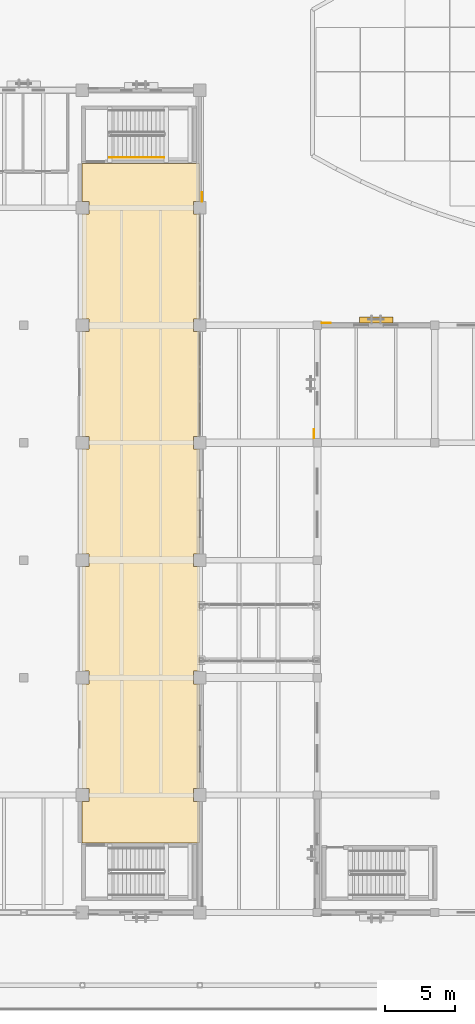
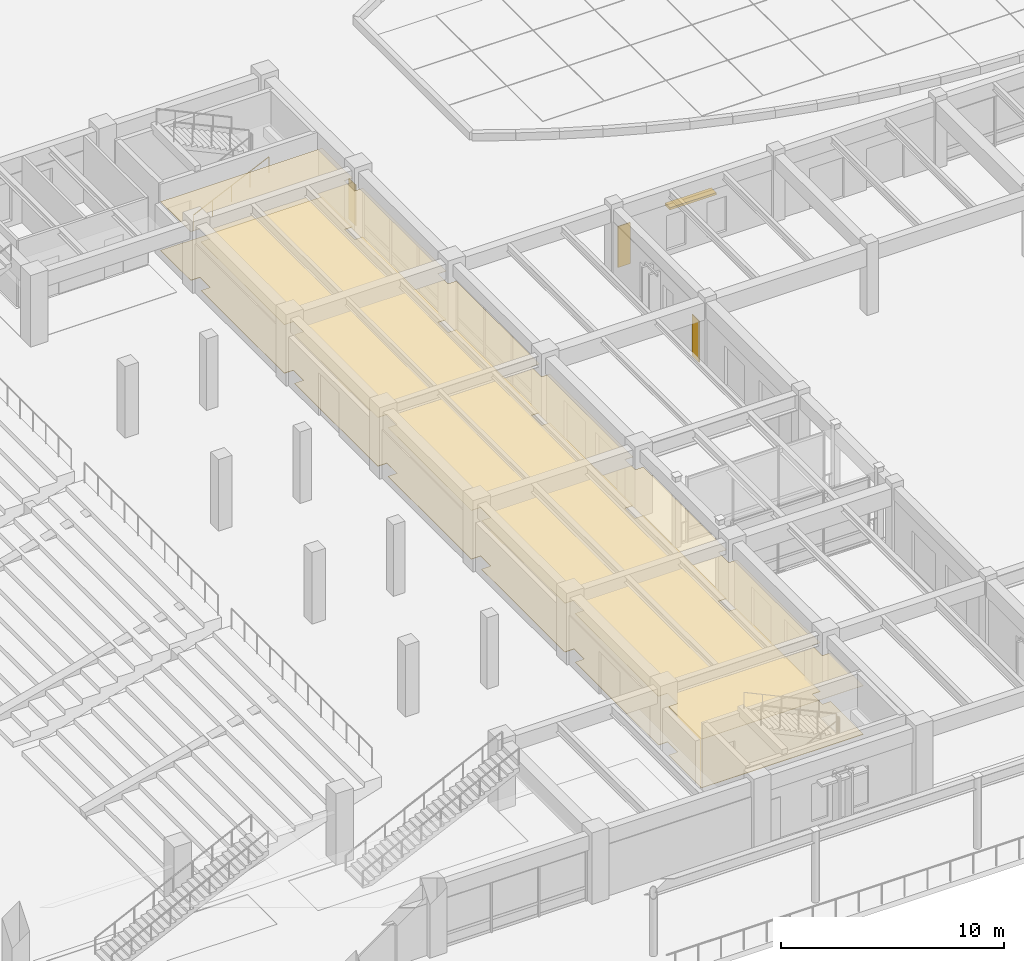
# One storey, part 111 of 135: 5 coverings, 1 railing, 1 shading device.
"""IFC4 building model written with IfcOpenShell, lengths in metres."""

from ifc_helpers import new_model, si_unit, direction, frame, origin, origin_2d, place, context, subcontext, project, spatial, polyline, rectangle, circle, outline, extrude, material, layer, layer_set, type_object, element, save


model = new_model("IFC4")

# Units and contexts
model_context = context("Model", 3, precision=1e-05, world=origin(), true_north=direction((0.0, 1.0)))
body_context = subcontext(model_context, "Body", "Model", "MODEL_VIEW")
ifc_project = project(units=[si_unit("LENGTHUNIT", "METRE"), si_unit("AREAUNIT", "SQUARE_METRE"), si_unit("VOLUMEUNIT", "CUBIC_METRE"), si_unit("PLANEANGLEUNIT", "RADIAN"), si_unit("MASSUNIT", "GRAM", prefix="KILO")], contexts=[model_context])

# Site, building, storey
site_placement = place(None, origin())
site = spatial("IfcSite", under=ifc_project, at=site_placement, CompositionType="ELEMENT")
building_placement = place(site_placement, origin())
building = spatial("IfcBuilding", under=site, at=building_placement, Name="Cumbredor Promenade Congress Hotel", CompositionType="ELEMENT")
storey_placement = place(building_placement, origin())
storey = spatial("IfcBuildingStorey", under=building, at=storey_placement, Name="L00", CompositionType="ELEMENT", Elevation=0.0)

# Coverings
ifc_material_1 = material(Name="Acoustic mineral-fiber and gypsum ceiling")
ifc_layer_1 = layer(ifc_material_1, 0.01806640625, Name="Acoustic mineral-fiber and gypsum ceiling")
ifc_layer_set_1 = layer_set([ifc_layer_1], Name="Acoustic mineral-fiber and gypsum ceiling")
covering_type_1 = type_object("IfcCoveringType", Name="Acoustic Perforated Gypsum Ceiling CLG-01 18mm", PredefinedType="CEILING", material=ifc_layer_set_1)
covering_1_placement = place(storey_placement, frame((0.0, 0.0, 2.673095703125)))
element("IfcCovering", 1, at=covering_1_placement, inside=storey, type_object=covering_type_1, Name="East Diplomatic Delegation Arrival Lounge Acoustic Ceiling", PredefinedType="CEILING", context=body_context, shape_type="SweptSolid", body=[
    extrude(outline(polyline([(58.780029296875, 34.054931640625), (58.780029296875, 41.544921875), (59.2548828125, 41.544921875), (59.2548828125, 42.455078125), (58.780029296875, 42.455078125), (58.780029296875, 49.945068359375), (59.2548828125, 49.945068359375), (59.2548828125, 50.85498046875), (58.780029296875, 50.85498046875), (58.780029296875, 58.344970703125), (59.2548828125, 58.344970703125), (59.2548828125, 59.2548828125), (58.780029296875, 59.2548828125), (58.780029296875, 61.969970703125), (67.169921875, 61.969970703125), (67.169921875, 59.2548828125), (66.7451171875, 59.2548828125), (66.7451171875, 58.344970703125), (67.169921875, 58.344970703125), (67.169921875, 50.85498046875), (66.7451171875, 50.85498046875), (66.7451171875, 49.945068359375), (67.169921875, 49.945068359375), (67.169921875, 42.455078125), (66.7451171875, 42.455078125), (66.7451171875, 41.544921875), (67.169921875, 41.544921875), (67.169921875, 34.054931640625), (66.7451171875, 34.054931640625), (66.7451171875, 33.14501953125), (67.169921875, 33.14501953125), (67.169921875, 25.655029296875), (66.7451171875, 25.655029296875), (66.7451171875, 24.7451171875), (67.169921875, 24.7451171875), (67.169921875, 17.2548828125), (66.7451171875, 17.2548828125), (66.7451171875, 16.344970703125), (67.169921875, 16.344970703125), (67.169921875, 13.3798828125), (58.780029296875, 13.3798828125), (58.780029296875, 16.344970703125), (59.2548828125, 16.344970703125), (59.2548828125, 17.2548828125), (58.780029296875, 17.2548828125), (58.780029296875, 24.7451171875), (59.2548828125, 24.7451171875), (59.2548828125, 25.655029296875), (58.780029296875, 25.655029296875), (58.780029296875, 33.14501953125), (59.2548828125, 33.14501953125), (59.2548828125, 34.054931640625), (58.780029296875, 34.054931640625)])), origin(), (0.0, 0.0, 1.0), 0.017822265625),
])
ifc_material_2 = material(Name="Precast concrete C40/50", Category="concrete")
ifc_layer_2 = layer(ifc_material_2, 0.044921875, Name="Precast concrete C40/50", Category="concrete")
ifc_layer_set_2 = layer_set([ifc_layer_2], Name="Precast concrete C40/50")
covering_type_2 = type_object("IfcCoveringType", Name="Board-Formed Architectural Cladding Panel 45mm", PredefinedType="CLADDING", material=ifc_layer_set_2)
covering_2_placement = place(storey_placement, origin())
element("IfcCovering", 2, at=covering_2_placement, inside=storey, type_object=covering_type_2, Name="L00 Facade Stone Cladding Pier 020", PredefinedType="CLADDING", context=body_context, shape_type="SweptSolid", body=[
    extrude(outline(polyline([(75.90087890625, 50.550048828125), (76.551025390625, 50.550048828125), (76.551025390625, 50.594970703125), (75.90087890625, 50.594970703125), (75.90087890625, 50.550048828125)])), origin(), (0.0, 0.0, 1.0), 2.25),
])
covering_3_placement = place(storey_placement, origin())
element("IfcCovering", 3, at=covering_3_placement, inside=storey, type_object=covering_type_2, Name="L00 Facade Stone Cladding Pier 022", PredefinedType="CLADDING", context=body_context, shape_type="SweptSolid", body=[
    extrude(outline(polyline([(75.387451171875, 42.301025390625), (75.387451171875, 42.950927734375), (75.342529296875, 42.950927734375), (75.342529296875, 42.301025390625), (75.387451171875, 42.301025390625)])), origin(), (0.0, 0.0, 1.0), 2.25),
])

# Shading device
ifc_material_3 = material(Name="Thermally broken anodized aluminium", Category="aluminium")
shading_device_type = type_object("IfcShadingDeviceType", Name="Horizontal Bronze Jalousie Louvre JAL-01", PredefinedType="JALOUSIE", material=ifc_material_3)
shading_device_placement = place(storey_placement, frame((79.800048828125, 50.77490234375, 2.2099609375), z_axis=(0.0, 0.0, 1.0), x_axis=(1.0, 0.0, 0.0)))
element("IfcShadingDevice", 4, at=shading_device_placement, inside=storey, type_object=shading_device_type, Name="L00 Horizontal Bronze Jalousie 013", PredefinedType="JALOUSIE", context=body_context, shape_type="SweptSolid", body=[
    extrude(rectangle(XDim=2.39990234375, YDim=0.449951171875, at=origin_2d()), origin(), (0.0, 0.0, 1.0), 0.1201171875),
])

# Covering
ifc_material_4 = material(Name="Porcelain stoneware tile", Category="masonry")
ifc_layer_3 = layer(ifc_material_4, 0.02490234375, Name="Porcelain stoneware tile", Category="masonry")
ifc_layer_set_3 = layer_set([ifc_layer_3], Name="Porcelain stoneware tile")
covering_type_3 = type_object("IfcCoveringType", Name="Porcelain Stoneware Flooring FLR-02 25mm", PredefinedType="FLOORING", material=ifc_layer_set_3)
covering_4_placement = place(storey_placement, origin())
element("IfcCovering", 5, at=covering_4_placement, inside=storey, type_object=covering_type_3, Name="East Diplomatic Delegation Arrival Lounge Porcelain Flooring", PredefinedType="FLOORING", context=body_context, shape_type="SweptSolid", body=[
    extrude(outline(polyline([(58.780029296875, 34.054931640625), (58.780029296875, 41.544921875), (59.2548828125, 41.544921875), (59.2548828125, 42.455078125), (58.780029296875, 42.455078125), (58.780029296875, 49.945068359375), (59.2548828125, 49.945068359375), (59.2548828125, 50.85498046875), (58.780029296875, 50.85498046875), (58.780029296875, 58.344970703125), (59.2548828125, 58.344970703125), (59.2548828125, 59.2548828125), (58.780029296875, 59.2548828125), (58.780029296875, 61.969970703125), (67.169921875, 61.969970703125), (67.169921875, 59.2548828125), (66.7451171875, 59.2548828125), (66.7451171875, 58.344970703125), (67.169921875, 58.344970703125), (67.169921875, 50.85498046875), (66.7451171875, 50.85498046875), (66.7451171875, 49.945068359375), (67.169921875, 49.945068359375), (67.169921875, 42.455078125), (66.7451171875, 42.455078125), (66.7451171875, 41.544921875), (67.169921875, 41.544921875), (67.169921875, 34.054931640625), (66.7451171875, 34.054931640625), (66.7451171875, 33.14501953125), (67.169921875, 33.14501953125), (67.169921875, 25.655029296875), (66.7451171875, 25.655029296875), (66.7451171875, 24.7451171875), (67.169921875, 24.7451171875), (67.169921875, 17.2548828125), (66.7451171875, 17.2548828125), (66.7451171875, 16.344970703125), (67.169921875, 16.344970703125), (67.169921875, 13.3798828125), (58.780029296875, 13.3798828125), (58.780029296875, 16.344970703125), (59.2548828125, 16.344970703125), (59.2548828125, 17.2548828125), (58.780029296875, 17.2548828125), (58.780029296875, 24.7451171875), (59.2548828125, 24.7451171875), (59.2548828125, 25.655029296875), (58.780029296875, 25.655029296875), (58.780029296875, 33.14501953125), (59.2548828125, 33.14501953125), (59.2548828125, 34.054931640625), (58.780029296875, 34.054931640625)])), origin(), (0.0, 0.0, 1.0), 0.02490234375),
])

# Railing
ifc_material_5 = material(Name="Brushed stainless steel", Category="steel")
railing_type = type_object("IfcRailingType", Name="Stair Pitch Handrail HR-900", PredefinedType="HANDRAIL", material=ifc_material_5)
railing_placement = place(storey_placement, frame((60.75, 62.39990234375, 0.139892578125)))
element("IfcRailing", 6, at=railing_placement, inside=storey, type_object=railing_type, Name="L00 ST-07 stair handrail 1", PredefinedType="HANDRAIL", context=body_context, shape_type="SweptSolid", body=[
    extrude(circle(Radius=0.02392578125, at=origin_2d()), frame((0.0, 0.0, 0.8759765625), z_axis=(0.906172994947, 0.0, 0.42290720404), x_axis=(0.0, 1.0, 0.0)), (0.0, 0.0, 1.0), 4.3037109375),
    extrude(circle(Radius=0.02099609375, at=origin_2d()), origin(), (0.0, 0.0, 1.0), 0.851806640625),
    extrude(circle(Radius=0.02099609375, at=origin_2d()), frame((0.97509765625, 0.0, 0.455078125)), (0.0, 0.0, 1.0), 0.851806640625),
    extrude(circle(Radius=0.02099609375, at=origin_2d()), frame((1.949951171875, 0.0, 0.91015625)), (0.0, 0.0, 1.0), 0.851806640625),
    extrude(circle(Radius=0.02099609375, at=origin_2d()), frame((2.9248046875, 0.0, 1.364990234375)), (0.0, 0.0, 1.0), 0.851806640625),
    extrude(circle(Radius=0.02099609375, at=origin_2d()), frame((3.89990234375, 0.0, 1.820068359375)), (0.0, 0.0, 1.0), 0.851806640625),
])

# Covering
ifc_material_6 = material(Name="Volcanic andesite ashlar cladding", Category="masonry")
ifc_layer_4 = layer(ifc_material_6, 0.034912109375, Name="Volcanic andesite ashlar cladding", Category="masonry")
ifc_layer_set_4 = layer_set([ifc_layer_4], Name="Volcanic andesite ashlar cladding")
covering_type_4 = type_object("IfcCoveringType", Name="Volcanic Andesite Ashlar Rainscreen Cladding 35mm", PredefinedType="CLADDING", material=ifc_layer_set_4)
covering_5_placement = place(storey_placement, origin())
element("IfcCovering", 7, at=covering_5_placement, inside=storey, type_object=covering_type_4, Name="L00 Facade Stone Cladding Pier 009", PredefinedType="CLADDING", context=body_context, shape_type="SweptSolid", body=[
    extrude(outline(polyline([(67.330078125, 59.2509765625), (67.330078125, 59.90087890625), (67.364990234375, 59.90087890625), (67.364990234375, 59.2509765625), (67.330078125, 59.2509765625)])), origin(), (0.0, 0.0, 1.0), 2.25),
])

save(model, "model.ifc")
